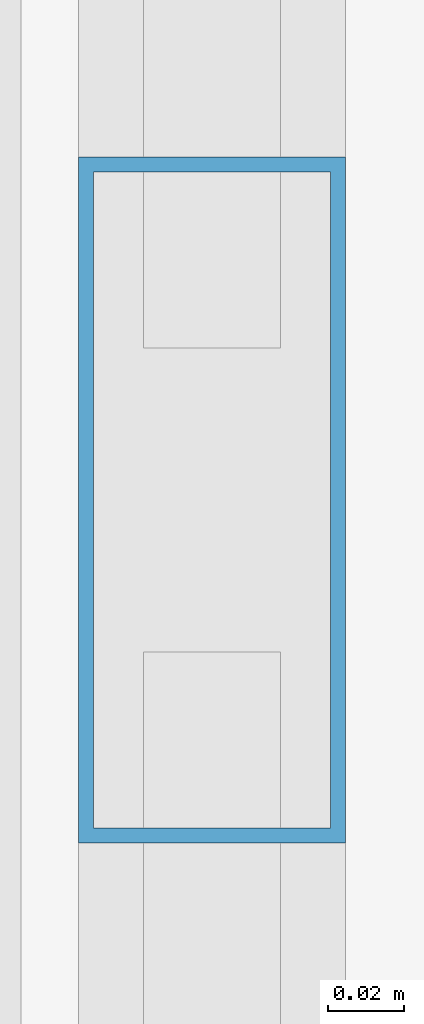
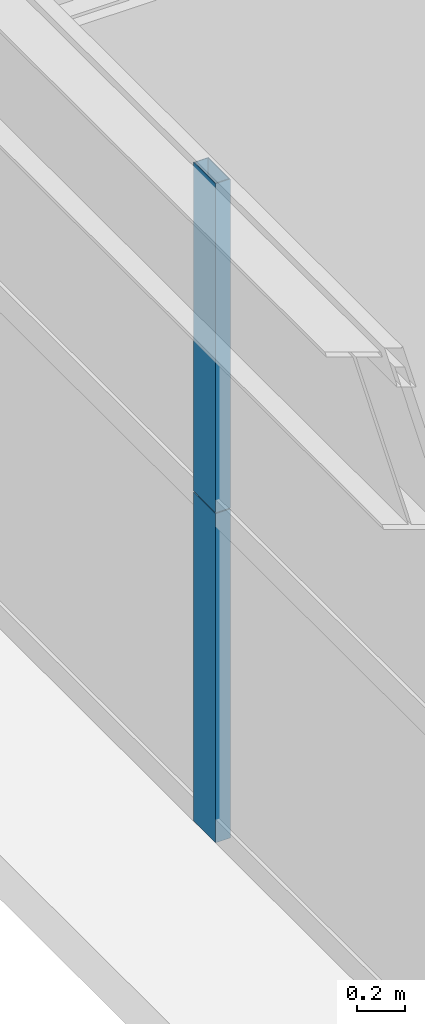
# One storey, part 7 of 38: 2 members, 1 element without a shape of its own.
"""IFC4 building model written with IfcOpenShell, lengths in metres."""

from ifc_helpers import new_model, si_unit, direction, frame, origin, origin_2d, place, context, subcontext, project, spatial, hollow_rectangle, extrude, source, transform, mapped, material, layer, layer_set, material_profile, profile_set, type_object, element, aggregate, save


model = new_model("IFC4")

# Units and contexts
model_context = context("Model", 3, precision=1e-05, world=origin(), true_north=direction((0.0, 1.0)))
body_context = subcontext(model_context, "Body", "Model", "MODEL_VIEW")
ifc_project = project(units=[si_unit("LENGTHUNIT", "METRE"), si_unit("AREAUNIT", "SQUARE_METRE"), si_unit("VOLUMEUNIT", "CUBIC_METRE"), si_unit("PLANEANGLEUNIT", "RADIAN"), si_unit("MASSUNIT", "GRAM", prefix="KILO"), si_unit("THERMODYNAMICTEMPERATUREUNIT", "KELVIN"), si_unit("POWERUNIT", "WATT")], contexts=[model_context])

# Site, building, storey
site_placement = place(None, origin())
site = spatial("IfcSite", under=ifc_project, at=site_placement, CompositionType="ELEMENT")
building_placement = place(site_placement, origin())
building = spatial("IfcBuilding", under=site, at=building_placement, Name="Yuzanri Waterfront Tower", CompositionType="ELEMENT")
storey_placement = place(building_placement, frame((0.0, 0.0, 126.199951171875)))
storey = spatial("IfcBuildingStorey", under=building, at=storey_placement, Name="L33", CompositionType="ELEMENT", Elevation=126.199951171875)

# Curtain wall, members
ifc_material_1 = material(Name="Anodized Architectural Bronze", Category="metal")
ifc_layer = layer(ifc_material_1, 0.159912109375)
ifc_layer_set = layer_set([ifc_layer], Name="Anodized Architectural Bronze")
curtain_wall_type = type_object("IfcCurtainWallType", Name="Anodized Bronze Hotel Upper-Tier Solar-Control Unitized Curtain Wall 7800", PredefinedType="NOTDEFINED", material=ifc_layer_set)
curtain_wall_placement = place(storey_placement, origin())
curtain_wall = element("IfcCurtainWall", 1, at=curtain_wall_placement, inside=storey, type_object=curtain_wall_type, Name="L33 Curtain Wall CW-L33-WL", PredefinedType="NOTDEFINED")
ifc_material_2 = material(Name="Anodized Architectural Bronze", Category="metal")
ifc_material_profile = material_profile(ifc_material_2, hollow_rectangle(XDim=0.070068359375, YDim=0.179931640625, WallThickness=0.00390625, at=origin_2d()), Name="CWM 70x180")
ifc_profile_set = profile_set([ifc_material_profile], Name="Anodized Architectural Bronze")
member_type = type_object("IfcMemberType", Name="Anodized Bronze Standard Curtain-Wall Mullion 70x180", PredefinedType="MULLION", material=ifc_profile_set)
shared_shape = source(origin(), body_context, "Body", "SweptSolid", [
    extrude(hollow_rectangle(XDim=0.070068359375, YDim=0.179931640625, WallThickness=0.00390625, at=origin_2d()), origin(), (0.0, 0.0, 1.0), 1.657958984375),
])
member_1_placement = place(storey_placement, frame((13.550048828125, 17.449951171875, 0.0), z_axis=(0.0, 0.0, 1.0), x_axis=(1.0, 0.0, 0.0)))
member_1 = element("IfcMember", 2, at=member_1_placement, type_object=member_type, Name="CW-L33-WL Lower Mullion 01", PredefinedType="MULLION", context=body_context, shape_type="MappedRepresentation", body=[
    mapped(shared_shape, transform((0.0, 0.0, 0.0), scale=1.0)),
])
member_2_placement = place(storey_placement, frame((13.550048828125, 17.449951171875, 1.662109375), z_axis=(0.0, 0.0, 1.0), x_axis=(1.0, 0.0, 0.0)))
member_2 = element("IfcMember", 3, at=member_2_placement, type_object=member_type, Name="CW-L33-WL Upper Mullion 01", PredefinedType="MULLION", context=body_context, shape_type="MappedRepresentation", body=[
    mapped(shared_shape, transform((0.0, 0.0, 0.0), scale=1.0)),
])
aggregate(curtain_wall, [member_1, member_2])

save(model, "model.ifc")
